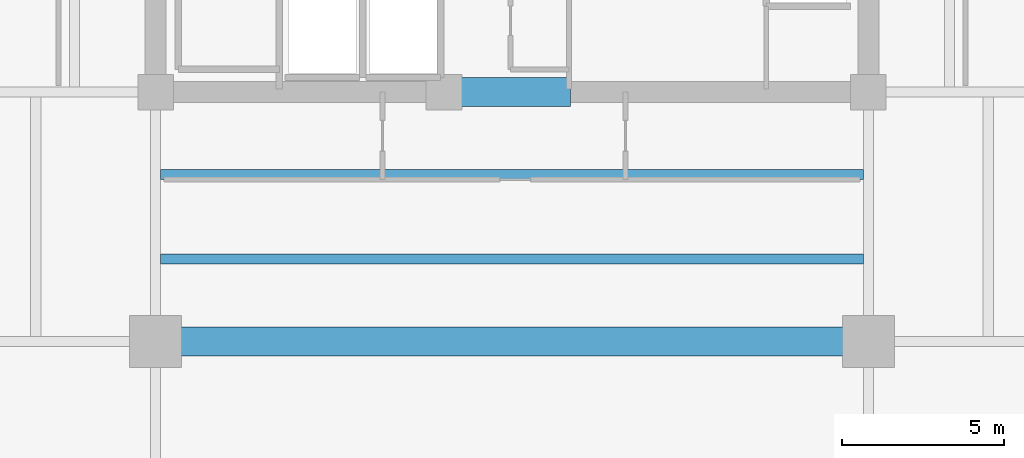
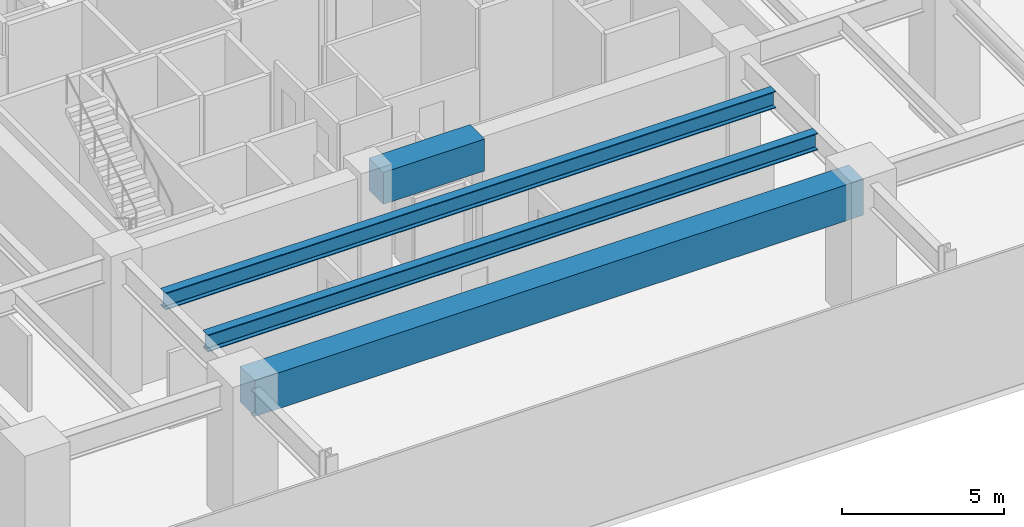
# One storey, part 5 of 23: 4 beams.
"""IFC4 building model written with IfcOpenShell, lengths in metres."""

from ifc_helpers import new_model, si_unit, direction, frame, origin, origin_2d, place, context, subcontext, project, spatial, rectangle, i_section, extrude, material, material_profile, profile_set, type_object, element, save


model = new_model("IFC4")

# Units and contexts
model_context = context("Model", 3, precision=1e-05, world=origin(), true_north=direction((0.0, 1.0)))
body_context = subcontext(model_context, "Body", "Model", "MODEL_VIEW")
ifc_project = project(units=[si_unit("LENGTHUNIT", "METRE"), si_unit("AREAUNIT", "SQUARE_METRE"), si_unit("VOLUMEUNIT", "CUBIC_METRE"), si_unit("PLANEANGLEUNIT", "RADIAN"), si_unit("MASSUNIT", "GRAM", prefix="KILO")], contexts=[model_context])

# Site, building, storey
site_placement = place(None, origin())
site = spatial("IfcSite", under=ifc_project, at=site_placement, CompositionType="ELEMENT")
building_placement = place(site_placement, origin())
building = spatial("IfcBuilding", under=site, at=building_placement, Name="Kovane Verandah Tower", CompositionType="ELEMENT")
storey_placement = place(building_placement, frame((0.0, 0.0, 107.60009765625)))
storey = spatial("IfcBuildingStorey", under=building, at=storey_placement, Name="L25", CompositionType="ELEMENT", Elevation=107.60009765625)

# Beams
ifc_material_1 = material(Name="Concrete C80/95", Category="concrete")
ifc_material_profile_1 = material_profile(ifc_material_1, rectangle(XDim=0.89990234375, YDim=1.199951171875, at=origin_2d()), Name="RCB900x1200")
ifc_profile_set_1 = profile_set([ifc_material_profile_1], Name="Concrete C80/95")
beam_type_1 = type_object("IfcBeamType", Name="BM-LINTEL-900x1200", PredefinedType="LINTEL", material=ifc_profile_set_1)
beam_1_placement = place(storey_placement, frame((38.199951171875, 18.5, 4.5), z_axis=(1.0, 0.0, 0.0), x_axis=(0.0, 1.0, 0.0)))
element("IfcBeam", 1, at=beam_1_placement, inside=storey, type_object=beam_type_1, Name="L25 Core Coupling Lintel CL-S", PredefinedType="LINTEL", context=body_context, shape_type="SweptSolid", body=[
    extrude(rectangle(XDim=0.89990234375, YDim=1.199951171875, at=origin_2d()), origin(), (0.0, 0.0, 1.0), 3.60009765625),
])
ifc_material_profile_2 = material_profile(ifc_material_1, rectangle(XDim=0.89990234375, YDim=1.35009765625, at=origin_2d()), Name="RCB900x1350")
ifc_profile_set_2 = profile_set([ifc_material_profile_2], Name="Concrete C80/95")
beam_type_2 = type_object("IfcBeamType", Name="BM-TR-900x1350", PredefinedType="BEAM", material=ifc_profile_set_2)
beam_2_placement = place(storey_placement, frame((29.179931640625, 10.800048828125, 4.4248046875), z_axis=(1.0, 0.0, 0.0), x_axis=(0.0, 1.0, 0.0)))
element("IfcBeam", 2, at=beam_2_placement, inside=storey, type_object=beam_type_2, Name="L25 Primary Tower Girder G-RS2", PredefinedType="BEAM", context=body_context, shape_type="SweptSolid", body=[
    extrude(rectangle(XDim=0.89990234375, YDim=1.35009765625, at=origin_2d()), origin(), (0.0, 0.0, 1.0), 21.64013671875),
])
ifc_material_2 = material(Name="Steel S460", Category="steel")
ifc_material_profile_3 = material_profile(ifc_material_2, i_section(OverallWidth=0.311279296875, OverallDepth=0.6357421875, WebThickness=0.018310546875, FlangeThickness=0.031494140625, FilletRadius=0.0166015625, at=origin_2d()), Name="UB610x305x238")
ifc_profile_set_3 = profile_set([ifc_material_profile_3], Name="Steel S460")
beam_type_3 = type_object("IfcBeamType", Name="BM-UB610x238", PredefinedType="BEAM", material=ifc_profile_set_3)
for number, where, z_axis, x_axis, name in (
    (3, (29.15185546875, 13.35009765625, 4.781982421875), (1.0, 0.0, 0.0), (0.0, 1.0, 0.0), "L25 Secondary Composite Joist J-S1"),
    (4, (29.15185546875, 15.949951171875, 4.781982421875), (1.0, 0.0, 0.0), (0.0, 1.0, 0.0), "L25 Secondary Composite Joist J-S2"),
):
    element("IfcBeam", number, at=place(storey_placement, frame(where, z_axis=z_axis, x_axis=x_axis)), inside=storey, type_object=beam_type_3, Name=name, PredefinedType="BEAM", context=body_context, shape_type="SweptSolid", body=[
        extrude(i_section(OverallWidth=0.311279296875, OverallDepth=0.6357421875, WebThickness=0.018310546875, FlangeThickness=0.031494140625, FilletRadius=0.0166015625, at=origin_2d()), origin(), (0.0, 0.0, 1.0), 21.6962890625),
    ])

save(model, "model.ifc")
